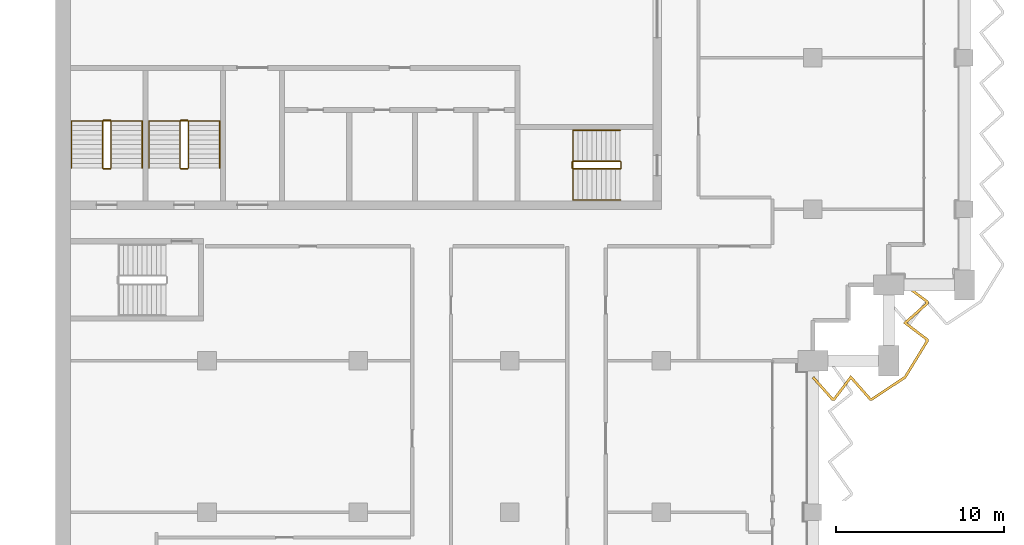
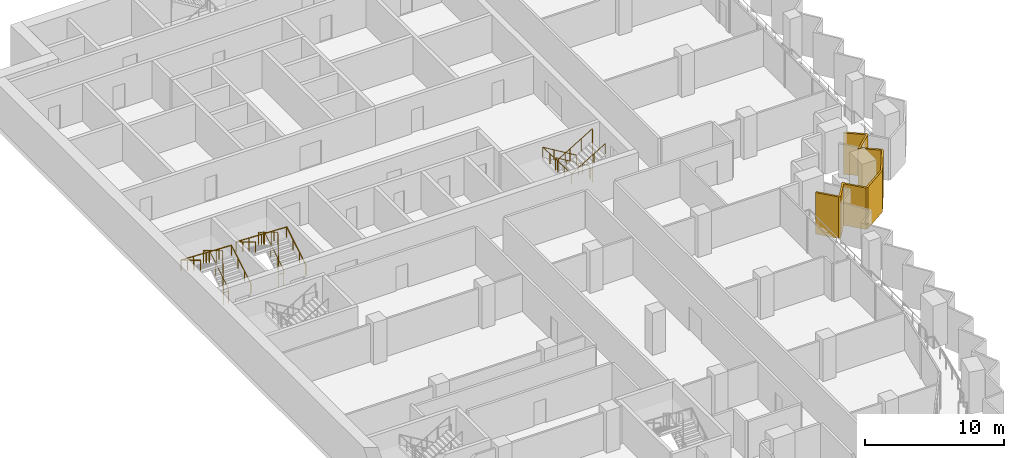
# One storey, part 16 of 17: 6 railings, 1 shading device.
"""IFC4 building model written with IfcOpenShell, lengths in metres."""

from ifc_helpers import new_model, si_unit, direction, frame, origin, origin_2d, place, context, subcontext, project, spatial, polyline, circle, outline, extrude, material, layer, layer_set, type_object, element, save


model = new_model("IFC4")

# Units and contexts
model_context = context("Model", 3, precision=1e-05, world=origin(), true_north=direction((0.0, 1.0)))
body_context = subcontext(model_context, "Body", "Model", "MODEL_VIEW")
ifc_project = project(units=[si_unit("LENGTHUNIT", "METRE"), si_unit("AREAUNIT", "SQUARE_METRE"), si_unit("VOLUMEUNIT", "CUBIC_METRE"), si_unit("PLANEANGLEUNIT", "RADIAN"), si_unit("MASSUNIT", "GRAM", prefix="KILO")], contexts=[model_context])

# Site, building, storey
site_placement = place(None, origin())
site = spatial("IfcSite", under=ifc_project, at=site_placement, CompositionType="ELEMENT")
building_placement = place(site_placement, origin())
building = spatial("IfcBuilding", under=site, at=building_placement, Name="Hunhe Ridgeline Campus", CompositionType="ELEMENT")
storey_placement = place(building_placement, frame((0.0, 0.0, 208.699951171875)))
storey = spatial("IfcBuildingStorey", under=building, at=storey_placement, Name="L53", CompositionType="ELEMENT", Elevation=208.699951171875)

# Shading device
ifc_material_1 = material(Name="Concrete C50", Category="concrete")
ifc_layer = layer(ifc_material_1, 0.14990234375)
ifc_layer_set = layer_set([ifc_layer], Name="Sawtooth concrete fin 150 Concrete C50")
shading_device_type = type_object("IfcShadingDeviceType", Name="Sawtooth concrete fin 150 Concrete C50", PredefinedType="USERDEFINED", material=ifc_layer_set)
shading_device_placement = place(storey_placement, frame((0.0, 0.0, -0.949951171875)))
element("IfcShadingDevice", 1, at=shading_device_placement, inside=storey, type_object=shading_device_type, Name="Concrete fin screen 2", ObjectType="FIN", PredefinedType="USERDEFINED", context=body_context, shape_type="SweptSolid", body=[
    extrude(outline(polyline([(45.05615234375, 53.07470703125), (44.94384765625, 52.975341796875), (46.11328125, 51.64990234375), (46.304443359375, 51.64990234375), (47.25439453125, 52.906494140625), (48.36328125, 51.64990234375), (48.539794921875, 51.64990234375), (50.5302734375, 52.9716796875), (51.85009765625, 55.1259765625), (51.85009765625, 55.304443359375), (50.593505859375, 56.25439453125), (51.85009765625, 57.36328125), (51.85009765625, 57.554443359375), (50.520263671875, 58.559814453125), (50.4296875, 58.440185546875), (51.699951171875, 57.479736328125), (51.699951171875, 57.430908203125), (50.3564453125, 56.24560546875), (51.699951171875, 55.229736328125), (51.699951171875, 55.168212890625), (50.419677734375, 53.078369140625), (48.494384765625, 51.800048828125), (48.430908203125, 51.800048828125), (47.24560546875, 53.1435546875), (46.229736328125, 51.800048828125), (46.180908203125, 51.800048828125), (45.05615234375, 53.07470703125)])), origin(), (0.0, 0.0, 1.0), 3.64990234375),
])

# Railings
ifc_material_2 = material(Name="Stainless steel balustrade", Category="steel")
railing_type_1 = type_object("IfcRailingType", Name="Stair guard 1100 stainless", PredefinedType="GUARDRAIL", material=ifc_material_2)
railing_1_placement = place(storey_placement, frame((33.550048828125, 65.85009765625, 0.168212890625)))
element("IfcRailing", 2, at=railing_1_placement, inside=storey, type_object=railing_type_1, Name="L53 stair S2 guard", PredefinedType="GUARDRAIL", context=body_context, shape_type="SweptSolid", body=[
    extrude(circle(Radius=0.02392578125, at=origin_2d()), frame((0.0, 0.0, 1.076171875), z_axis=(-0.857242210791, 0.0, 0.514913383045), x_axis=(0.0, -1.0, 0.0)), (0.0, 0.0, 1.0), 3.266357421875),
    extrude(circle(Radius=0.02392578125, at=origin_2d()), frame((-2.800048828125, 0.0, 2.7578125), z_axis=(-0.707106781187, -0.707106781187, 0.0), x_axis=(0.707106781187, -0.707106781187, 0.0)), (0.0, 0.0, 1.0), 0.07080078125),
    extrude(circle(Radius=0.02392578125, at=origin_2d()), frame((-2.85009765625, -0.050048828125, 2.7578125), z_axis=(0.0, -1.0, 0.0), x_axis=(1.0, 0.0, 0.0)), (0.0, 0.0, 1.0), 0.35009765625),
    extrude(circle(Radius=0.02392578125, at=origin_2d()), frame((-2.85009765625, -0.400146484375, 2.7578125), z_axis=(0.274243871929, -0.274243871929, 0.92172696468), x_axis=(0.707106781187, 0.707106781187, 0.0)), (0.0, 0.0, 1.0), 0.1826171875),
    extrude(circle(Radius=0.02392578125, at=origin_2d()), frame((-2.800048828125, -0.4501953125, 2.92626953125), z_axis=(0.857275202839, 0.0, 0.514858452973), x_axis=(0.0, 1.0, 0.0)), (0.0, 0.0, 1.0), 3.26611328125),
    extrude(circle(Radius=0.02392578125, at=origin_2d()), frame((0.0, -0.4501953125, 4.60791015625), z_axis=(0.013524414389, 0.013524414389, -0.999817073484), x_axis=(-0.707106781187, 0.707106781187, 0.0)), (0.0, 0.0, 1.0), 3.70068359375),
    extrude(circle(Radius=0.02392578125, at=origin_2d()), frame((0.050048828125, -0.400146484375, 0.90771484375), z_axis=(0.0, 1.0, 0.0), x_axis=(-1.0, 0.0, 0.0)), (0.0, 0.0, 1.0), 0.35009765625),
    extrude(circle(Radius=0.02099609375, at=origin_2d()), origin(), (0.0, 0.0, 1.0), 1.052001953125),
    extrude(circle(Radius=0.02099609375, at=origin_2d()), frame((-0.933349609375, 0.0, 0.560546875)), (0.0, 0.0, 1.0), 1.052001953125),
    extrude(circle(Radius=0.02099609375, at=origin_2d()), frame((-1.86669921875, 0.0, 1.121337890625)), (0.0, 0.0, 1.0), 1.052001953125),
    extrude(circle(Radius=0.02099609375, at=origin_2d()), frame((-2.800048828125, 0.0, 1.681884765625)), (0.0, 0.0, 1.0), 1.052001953125),
    extrude(circle(Radius=0.02099609375, at=origin_2d()), frame((-2.85009765625, -0.050048828125, 1.681884765625)), (0.0, 0.0, 1.0), 1.052001953125),
    extrude(circle(Radius=0.02099609375, at=origin_2d()), frame((-2.85009765625, -0.400146484375, 1.681884765625)), (0.0, 0.0, 1.0), 1.052001953125),
    extrude(circle(Radius=0.02099609375, at=origin_2d()), frame((-2.800048828125, -0.4501953125, 1.85009765625)), (0.0, 0.0, 1.0), 1.052001953125),
    extrude(circle(Radius=0.02099609375, at=origin_2d()), frame((-1.86669921875, -0.4501953125, 2.41064453125)), (0.0, 0.0, 1.0), 1.052001953125),
    extrude(circle(Radius=0.02099609375, at=origin_2d()), frame((-0.933349609375, -0.4501953125, 2.97119140625)), (0.0, 0.0, 1.0), 1.052001953125),
    extrude(circle(Radius=0.02099609375, at=origin_2d()), frame((0.0, -0.4501953125, 3.53173828125)), (0.0, 0.0, 1.0), 1.052001953125),
    extrude(circle(Radius=0.02099609375, at=origin_2d()), frame((0.012451171875, -0.437744140625, 2.606689453125)), (0.0, 0.0, 1.0), 1.052001953125),
    extrude(circle(Radius=0.02099609375, at=origin_2d()), frame((0.02490234375, -0.42529296875, 1.681640625)), (0.0, 0.0, 1.0), 1.052001953125),
    extrude(circle(Radius=0.02099609375, at=origin_2d()), frame((0.03759765625, -0.41259765625, 0.7568359375)), (0.0, 0.0, 1.0), 1.052001953125),
    extrude(circle(Radius=0.02099609375, at=origin_2d()), frame((0.050048828125, -0.400146484375, -0.168212890625)), (0.0, 0.0, 1.0), 1.052001953125),
    extrude(circle(Radius=0.02099609375, at=origin_2d()), frame((0.050048828125, -0.050048828125, -0.168212890625)), (0.0, 0.0, 1.0), 1.052001953125),
])
railing_2_placement = place(storey_placement, frame((3.300048828125, 65.449951171875, 0.168212890625)))
element("IfcRailing", 3, at=railing_2_placement, inside=storey, type_object=railing_type_1, Name="L53 stair S3 guard", PredefinedType="GUARDRAIL", context=body_context, shape_type="SweptSolid", body=[
    extrude(circle(Radius=0.02392578125, at=origin_2d()), frame((0.0, 0.0, 1.076171875), z_axis=(0.0, 0.857242210791, 0.514913383045), x_axis=(-1.0, 0.0, 0.0)), (0.0, 0.0, 1.0), 3.266357421875),
    extrude(circle(Radius=0.02392578125, at=origin_2d()), frame((0.0, 2.800048828125, 2.7578125), z_axis=(-0.707106781187, 0.707106781187, 0.0), x_axis=(-0.707106781187, -0.707106781187, 0.0)), (0.0, 0.0, 1.0), 0.07080078125),
    extrude(circle(Radius=0.02392578125, at=origin_2d()), frame((-0.050048828125, 2.85009765625, 2.7578125), z_axis=(-1.0, 0.0, 0.0), x_axis=(0.0, -1.0, 0.0)), (0.0, 0.0, 1.0), 0.39990234375),
    extrude(circle(Radius=0.02392578125, at=origin_2d()), frame((-0.449951171875, 2.85009765625, 2.7578125), z_axis=(-0.274243871929, -0.274243871929, 0.92172696468), x_axis=(0.707106781187, -0.707106781187, 0.0)), (0.0, 0.0, 1.0), 0.1826171875),
    extrude(circle(Radius=0.02392578125, at=origin_2d()), frame((-0.5, 2.800048828125, 2.92626953125), z_axis=(0.0, -0.857275202839, 0.514858452973), x_axis=(1.0, 0.0, 0.0)), (0.0, 0.0, 1.0), 3.26611328125),
    extrude(circle(Radius=0.02392578125, at=origin_2d()), frame((-0.5, 0.0, 4.60791015625), z_axis=(0.013524414389, -0.013524414389, -0.999817073484), x_axis=(0.707106781187, 0.707106781187, 0.0)), (0.0, 0.0, 1.0), 3.70068359375),
    extrude(circle(Radius=0.02392578125, at=origin_2d()), frame((-0.449951171875, -0.050048828125, 0.90771484375), z_axis=(1.0, 0.0, 0.0), x_axis=(0.0, 1.0, 0.0)), (0.0, 0.0, 1.0), 0.39990234375),
    extrude(circle(Radius=0.02099609375, at=origin_2d()), origin(), (0.0, 0.0, 1.0), 1.052001953125),
    extrude(circle(Radius=0.02099609375, at=origin_2d()), frame((0.0, 0.933349609375, 0.560546875)), (0.0, 0.0, 1.0), 1.052001953125),
    extrude(circle(Radius=0.02099609375, at=origin_2d()), frame((0.0, 1.86669921875, 1.121337890625)), (0.0, 0.0, 1.0), 1.052001953125),
    extrude(circle(Radius=0.02099609375, at=origin_2d()), frame((0.0, 2.800048828125, 1.681884765625)), (0.0, 0.0, 1.0), 1.052001953125),
    extrude(circle(Radius=0.02099609375, at=origin_2d()), frame((-0.050048828125, 2.85009765625, 1.681884765625)), (0.0, 0.0, 1.0), 1.052001953125),
    extrude(circle(Radius=0.02099609375, at=origin_2d()), frame((-0.449951171875, 2.85009765625, 1.681884765625)), (0.0, 0.0, 1.0), 1.052001953125),
    extrude(circle(Radius=0.02099609375, at=origin_2d()), frame((-0.5, 2.800048828125, 1.85009765625)), (0.0, 0.0, 1.0), 1.052001953125),
    extrude(circle(Radius=0.02099609375, at=origin_2d()), frame((-0.5, 1.86669921875, 2.41064453125)), (0.0, 0.0, 1.0), 1.052001953125),
    extrude(circle(Radius=0.02099609375, at=origin_2d()), frame((-0.5, 0.933349609375, 2.97119140625)), (0.0, 0.0, 1.0), 1.052001953125),
    extrude(circle(Radius=0.02099609375, at=origin_2d()), frame((-0.5, 0.0, 3.53173828125)), (0.0, 0.0, 1.0), 1.052001953125),
    extrude(circle(Radius=0.02099609375, at=origin_2d()), frame((-0.487548828125, -0.012451171875, 2.606689453125)), (0.0, 0.0, 1.0), 1.052001953125),
    extrude(circle(Radius=0.02099609375, at=origin_2d()), frame((-0.47509765625, -0.02490234375, 1.681640625)), (0.0, 0.0, 1.0), 1.052001953125),
    extrude(circle(Radius=0.02099609375, at=origin_2d()), frame((-0.46240234375, -0.03759765625, 0.7568359375)), (0.0, 0.0, 1.0), 1.052001953125),
    extrude(circle(Radius=0.02099609375, at=origin_2d()), frame((-0.449951171875, -0.050048828125, -0.168212890625)), (0.0, 0.0, 1.0), 1.052001953125),
    extrude(circle(Radius=0.02099609375, at=origin_2d()), frame((-0.050048828125, -0.050048828125, -0.168212890625)), (0.0, 0.0, 1.0), 1.052001953125),
])
railing_3_placement = place(storey_placement, frame((7.89990234375, 65.449951171875, 0.168212890625)))
element("IfcRailing", 4, at=railing_3_placement, inside=storey, type_object=railing_type_1, Name="L53 stair S4 guard", PredefinedType="GUARDRAIL", context=body_context, shape_type="SweptSolid", body=[
    extrude(circle(Radius=0.02392578125, at=origin_2d()), frame((0.0, 0.0, 1.076171875), z_axis=(0.0, 0.857242210791, 0.514913383045), x_axis=(-1.0, 0.0, 0.0)), (0.0, 0.0, 1.0), 3.266357421875),
    extrude(circle(Radius=0.02392578125, at=origin_2d()), frame((0.0, 2.800048828125, 2.7578125), z_axis=(-0.705375805398, 0.708833529934, 0.0), x_axis=(-0.708833529934, -0.705375805398, 0.0)), (0.0, 0.0, 1.0), 0.070556640625),
    extrude(circle(Radius=0.02392578125, at=origin_2d()), frame((-0.0498046875, 2.85009765625, 2.7578125), z_axis=(-1.0, 0.0, 0.0), x_axis=(0.0, -1.0, 0.0)), (0.0, 0.0, 1.0), 0.400146484375),
    extrude(circle(Radius=0.02392578125, at=origin_2d()), frame((-0.449951171875, 2.85009765625, 2.7578125), z_axis=(-0.274243871929, -0.274243871929, 0.92172696468), x_axis=(0.707106781187, -0.707106781187, 0.0)), (0.0, 0.0, 1.0), 0.1826171875),
    extrude(circle(Radius=0.02392578125, at=origin_2d()), frame((-0.5, 2.800048828125, 2.92626953125), z_axis=(0.0, -0.857275202839, 0.514858452973), x_axis=(1.0, 0.0, 0.0)), (0.0, 0.0, 1.0), 3.26611328125),
    extrude(circle(Radius=0.02392578125, at=origin_2d()), frame((-0.5, 0.0, 4.60791015625), z_axis=(0.013524414389, -0.013524414389, -0.999817073484), x_axis=(0.707106781187, 0.707106781187, 0.0)), (0.0, 0.0, 1.0), 3.70068359375),
    extrude(circle(Radius=0.02392578125, at=origin_2d()), frame((-0.449951171875, -0.050048828125, 0.90771484375), z_axis=(1.0, 0.0, 0.0), x_axis=(0.0, 1.0, 0.0)), (0.0, 0.0, 1.0), 0.400146484375),
    extrude(circle(Radius=0.02099609375, at=origin_2d()), origin(), (0.0, 0.0, 1.0), 1.052001953125),
    extrude(circle(Radius=0.02099609375, at=origin_2d()), frame((0.0, 0.933349609375, 0.560546875)), (0.0, 0.0, 1.0), 1.052001953125),
    extrude(circle(Radius=0.02099609375, at=origin_2d()), frame((0.0, 1.86669921875, 1.121337890625)), (0.0, 0.0, 1.0), 1.052001953125),
    extrude(circle(Radius=0.02099609375, at=origin_2d()), frame((0.0, 2.800048828125, 1.681884765625)), (0.0, 0.0, 1.0), 1.052001953125),
    extrude(circle(Radius=0.02099609375, at=origin_2d()), frame((-0.0498046875, 2.85009765625, 1.681884765625)), (0.0, 0.0, 1.0), 1.052001953125),
    extrude(circle(Radius=0.02099609375, at=origin_2d()), frame((-0.449951171875, 2.85009765625, 1.681884765625)), (0.0, 0.0, 1.0), 1.052001953125),
    extrude(circle(Radius=0.02099609375, at=origin_2d()), frame((-0.5, 2.800048828125, 1.85009765625)), (0.0, 0.0, 1.0), 1.052001953125),
    extrude(circle(Radius=0.02099609375, at=origin_2d()), frame((-0.5, 1.86669921875, 2.41064453125)), (0.0, 0.0, 1.0), 1.052001953125),
    extrude(circle(Radius=0.02099609375, at=origin_2d()), frame((-0.5, 0.933349609375, 2.97119140625)), (0.0, 0.0, 1.0), 1.052001953125),
    extrude(circle(Radius=0.02099609375, at=origin_2d()), frame((-0.5, 0.0, 3.53173828125)), (0.0, 0.0, 1.0), 1.052001953125),
    extrude(circle(Radius=0.02099609375, at=origin_2d()), frame((-0.487548828125, -0.012451171875, 2.606689453125)), (0.0, 0.0, 1.0), 1.052001953125),
    extrude(circle(Radius=0.02099609375, at=origin_2d()), frame((-0.47509765625, -0.02490234375, 1.681640625)), (0.0, 0.0, 1.0), 1.052001953125),
    extrude(circle(Radius=0.02099609375, at=origin_2d()), frame((-0.46240234375, -0.03759765625, 0.7568359375)), (0.0, 0.0, 1.0), 1.052001953125),
    extrude(circle(Radius=0.02099609375, at=origin_2d()), frame((-0.449951171875, -0.050048828125, -0.168212890625)), (0.0, 0.0, 1.0), 1.052001953125),
    extrude(circle(Radius=0.02099609375, at=origin_2d()), frame((-0.0498046875, -0.050048828125, -0.168212890625)), (0.0, 0.0, 1.0), 1.052001953125),
])
ifc_material_3 = material(Name="Stainless steel handrail", Category="steel")
railing_type_2 = type_object("IfcRailingType", Name="Stair handrail 900 stainless", PredefinedType="HANDRAIL", material=ifc_material_3)
railing_4_placement = place(storey_placement, frame((33.550048828125, 67.699951171875, 0.168212890625)))
element("IfcRailing", 5, at=railing_4_placement, inside=storey, type_object=railing_type_2, Name="L53 stair S2 handrail", PredefinedType="HANDRAIL", context=body_context, shape_type="SweptSolid", body=[
    extrude(circle(Radius=0.02392578125, at=origin_2d()), frame((0.0, 0.0, 0.8759765625), z_axis=(-0.857242210791, 0.0, 0.514913383045), x_axis=(0.0, -1.0, 0.0)), (0.0, 0.0, 1.0), 3.266357421875),
    extrude(circle(Radius=0.02392578125, at=origin_2d()), frame((-2.800048828125, 0.0, 2.5576171875), z_axis=(0.0, -0.99917950104, 0.040500922239), x_axis=(1.0, 0.0, 0.0)), (0.0, 0.0, 1.0), 4.1533203125),
    extrude(circle(Radius=0.02392578125, at=origin_2d()), frame((-2.800048828125, -4.14990234375, 2.72607421875), z_axis=(0.857275202839, 0.0, 0.514858452973), x_axis=(0.0, 1.0, 0.0)), (0.0, 0.0, 1.0), 3.26611328125),
    extrude(circle(Radius=0.02099609375, at=origin_2d()), origin(), (0.0, 0.0, 1.0), 0.851806640625),
    extrude(circle(Radius=0.02099609375, at=origin_2d()), frame((-0.933349609375, 0.0, 0.560546875)), (0.0, 0.0, 1.0), 0.851806640625),
    extrude(circle(Radius=0.02099609375, at=origin_2d()), frame((-1.86669921875, 0.0, 1.121337890625)), (0.0, 0.0, 1.0), 0.851806640625),
    extrude(circle(Radius=0.02099609375, at=origin_2d()), frame((-2.800048828125, 0.0, 1.681884765625)), (0.0, 0.0, 1.0), 0.851806640625),
    extrude(circle(Radius=0.02099609375, at=origin_2d()), frame((-2.800048828125, -1.03759765625, 1.723876953125)), (0.0, 0.0, 1.0), 0.851806640625),
    extrude(circle(Radius=0.02099609375, at=origin_2d()), frame((-2.800048828125, -2.074951171875, 1.76611328125)), (0.0, 0.0, 1.0), 0.851806640625),
    extrude(circle(Radius=0.02099609375, at=origin_2d()), frame((-2.800048828125, -3.1123046875, 1.80810546875)), (0.0, 0.0, 1.0), 0.851806640625),
    extrude(circle(Radius=0.02099609375, at=origin_2d()), frame((-2.800048828125, -4.14990234375, 1.85009765625)), (0.0, 0.0, 1.0), 0.851806640625),
    extrude(circle(Radius=0.02099609375, at=origin_2d()), frame((-1.86669921875, -4.14990234375, 2.41064453125)), (0.0, 0.0, 1.0), 0.851806640625),
    extrude(circle(Radius=0.02099609375, at=origin_2d()), frame((-0.933349609375, -4.14990234375, 2.97119140625)), (0.0, 0.0, 1.0), 0.851806640625),
    extrude(circle(Radius=0.02099609375, at=origin_2d()), frame((0.0, -4.14990234375, 3.53173828125)), (0.0, 0.0, 1.0), 0.851806640625),
])
railing_5_placement = place(storey_placement, frame((5.14990234375, 65.449951171875, 0.168212890625)))
element("IfcRailing", 6, at=railing_5_placement, inside=storey, type_object=railing_type_2, Name="L53 stair S3 handrail", PredefinedType="HANDRAIL", context=body_context, shape_type="SweptSolid", body=[
    extrude(circle(Radius=0.02392578125, at=origin_2d()), frame((0.0, 0.0, 0.8759765625), z_axis=(0.0, 0.857242210791, 0.514913383045), x_axis=(-1.0, 0.0, 0.0)), (0.0, 0.0, 1.0), 3.266357421875),
    extrude(circle(Radius=0.02392578125, at=origin_2d()), frame((0.0, 2.800048828125, 2.5576171875), z_axis=(-0.999198916169, 0.0, 0.040019069537), x_axis=(0.0, -1.0, 0.0)), (0.0, 0.0, 1.0), 4.203369140625),
    extrude(circle(Radius=0.02392578125, at=origin_2d()), frame((-4.199951171875, 2.800048828125, 2.72607421875), z_axis=(0.0, -0.857275202839, 0.514858452973), x_axis=(1.0, 0.0, 0.0)), (0.0, 0.0, 1.0), 3.26611328125),
    extrude(circle(Radius=0.02099609375, at=origin_2d()), origin(), (0.0, 0.0, 1.0), 0.851806640625),
    extrude(circle(Radius=0.02099609375, at=origin_2d()), frame((0.0, 0.933349609375, 0.560546875)), (0.0, 0.0, 1.0), 0.851806640625),
    extrude(circle(Radius=0.02099609375, at=origin_2d()), frame((0.0, 1.86669921875, 1.121337890625)), (0.0, 0.0, 1.0), 0.851806640625),
    extrude(circle(Radius=0.02099609375, at=origin_2d()), frame((0.0, 2.800048828125, 1.681884765625)), (0.0, 0.0, 1.0), 0.851806640625),
    extrude(circle(Radius=0.02099609375, at=origin_2d()), frame((-1.050048828125, 2.800048828125, 1.723876953125)), (0.0, 0.0, 1.0), 0.851806640625),
    extrude(circle(Radius=0.02099609375, at=origin_2d()), frame((-2.10009765625, 2.800048828125, 1.76611328125)), (0.0, 0.0, 1.0), 0.851806640625),
    extrude(circle(Radius=0.02099609375, at=origin_2d()), frame((-3.14990234375, 2.800048828125, 1.80810546875)), (0.0, 0.0, 1.0), 0.851806640625),
    extrude(circle(Radius=0.02099609375, at=origin_2d()), frame((-4.199951171875, 2.800048828125, 1.85009765625)), (0.0, 0.0, 1.0), 0.851806640625),
    extrude(circle(Radius=0.02099609375, at=origin_2d()), frame((-4.199951171875, 1.86669921875, 2.41064453125)), (0.0, 0.0, 1.0), 0.851806640625),
    extrude(circle(Radius=0.02099609375, at=origin_2d()), frame((-4.199951171875, 0.933349609375, 2.97119140625)), (0.0, 0.0, 1.0), 0.851806640625),
    extrude(circle(Radius=0.02099609375, at=origin_2d()), frame((-4.199951171875, 0.0, 3.53173828125)), (0.0, 0.0, 1.0), 0.851806640625),
])
railing_6_placement = place(storey_placement, frame((9.75, 65.449951171875, 0.168212890625)))
element("IfcRailing", 7, at=railing_6_placement, inside=storey, type_object=railing_type_2, Name="L53 stair S4 handrail", PredefinedType="HANDRAIL", context=body_context, shape_type="SweptSolid", body=[
    extrude(circle(Radius=0.02392578125, at=origin_2d()), frame((0.0, 0.0, 0.8759765625), z_axis=(0.0, 0.857242210791, 0.514913383045), x_axis=(-1.0, 0.0, 0.0)), (0.0, 0.0, 1.0), 3.266357421875),
    extrude(circle(Radius=0.02392578125, at=origin_2d()), frame((0.0, 2.800048828125, 2.5576171875), z_axis=(-0.999198916169, 0.0, 0.040019069537), x_axis=(0.0, -1.0, 0.0)), (0.0, 0.0, 1.0), 4.203369140625),
    extrude(circle(Radius=0.02392578125, at=origin_2d()), frame((-4.199951171875, 2.800048828125, 2.72607421875), z_axis=(0.0, -0.857275202839, 0.514858452973), x_axis=(1.0, 0.0, 0.0)), (0.0, 0.0, 1.0), 3.26611328125),
    extrude(circle(Radius=0.02099609375, at=origin_2d()), origin(), (0.0, 0.0, 1.0), 0.851806640625),
    extrude(circle(Radius=0.02099609375, at=origin_2d()), frame((0.0, 0.933349609375, 0.560546875)), (0.0, 0.0, 1.0), 0.851806640625),
    extrude(circle(Radius=0.02099609375, at=origin_2d()), frame((0.0, 1.86669921875, 1.121337890625)), (0.0, 0.0, 1.0), 0.851806640625),
    extrude(circle(Radius=0.02099609375, at=origin_2d()), frame((0.0, 2.800048828125, 1.681884765625)), (0.0, 0.0, 1.0), 0.851806640625),
    extrude(circle(Radius=0.02099609375, at=origin_2d()), frame((-1.050048828125, 2.800048828125, 1.723876953125)), (0.0, 0.0, 1.0), 0.851806640625),
    extrude(circle(Radius=0.02099609375, at=origin_2d()), frame((-2.10009765625, 2.800048828125, 1.76611328125)), (0.0, 0.0, 1.0), 0.851806640625),
    extrude(circle(Radius=0.02099609375, at=origin_2d()), frame((-3.14990234375, 2.800048828125, 1.80810546875)), (0.0, 0.0, 1.0), 0.851806640625),
    extrude(circle(Radius=0.02099609375, at=origin_2d()), frame((-4.199951171875, 2.800048828125, 1.85009765625)), (0.0, 0.0, 1.0), 0.851806640625),
    extrude(circle(Radius=0.02099609375, at=origin_2d()), frame((-4.199951171875, 1.86669921875, 2.41064453125)), (0.0, 0.0, 1.0), 0.851806640625),
    extrude(circle(Radius=0.02099609375, at=origin_2d()), frame((-4.199951171875, 0.933349609375, 2.97119140625)), (0.0, 0.0, 1.0), 0.851806640625),
    extrude(circle(Radius=0.02099609375, at=origin_2d()), frame((-4.199951171875, 0.0, 3.53173828125)), (0.0, 0.0, 1.0), 0.851806640625),
])

save(model, "model.ifc")
